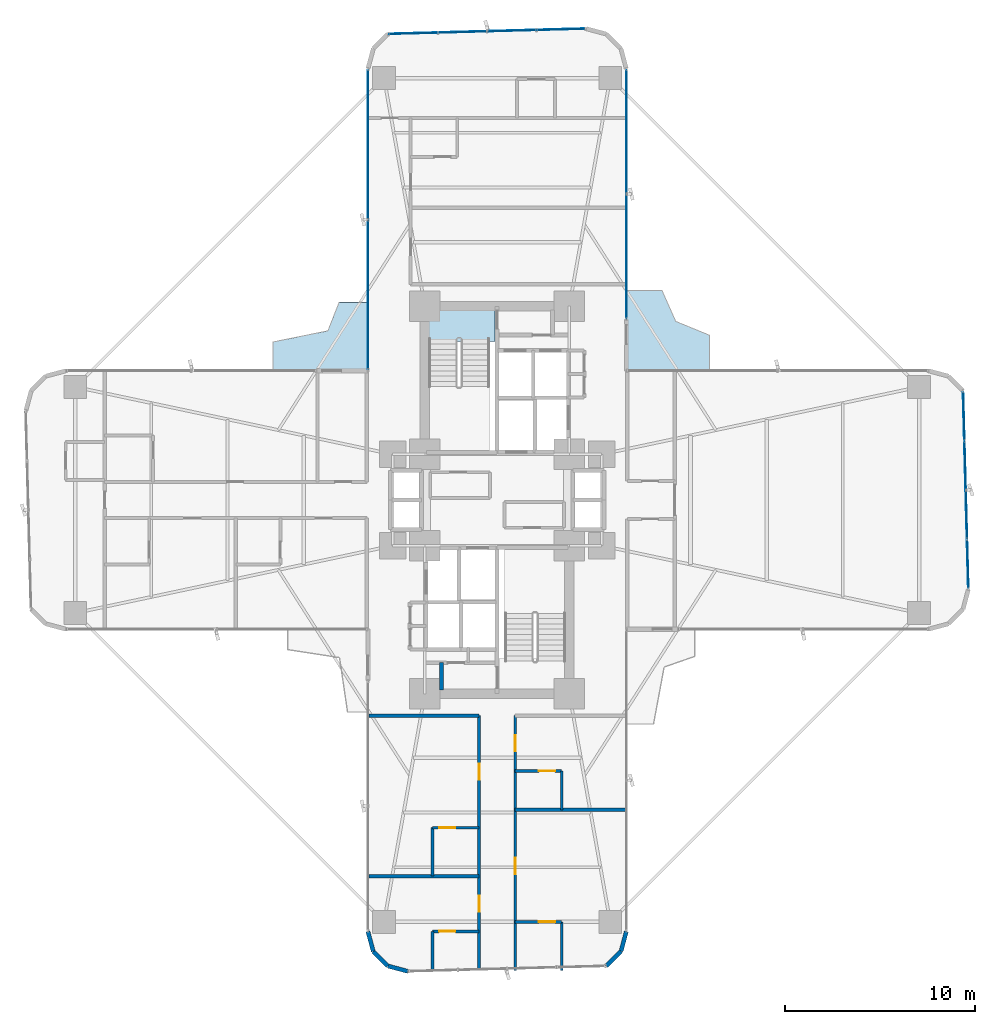
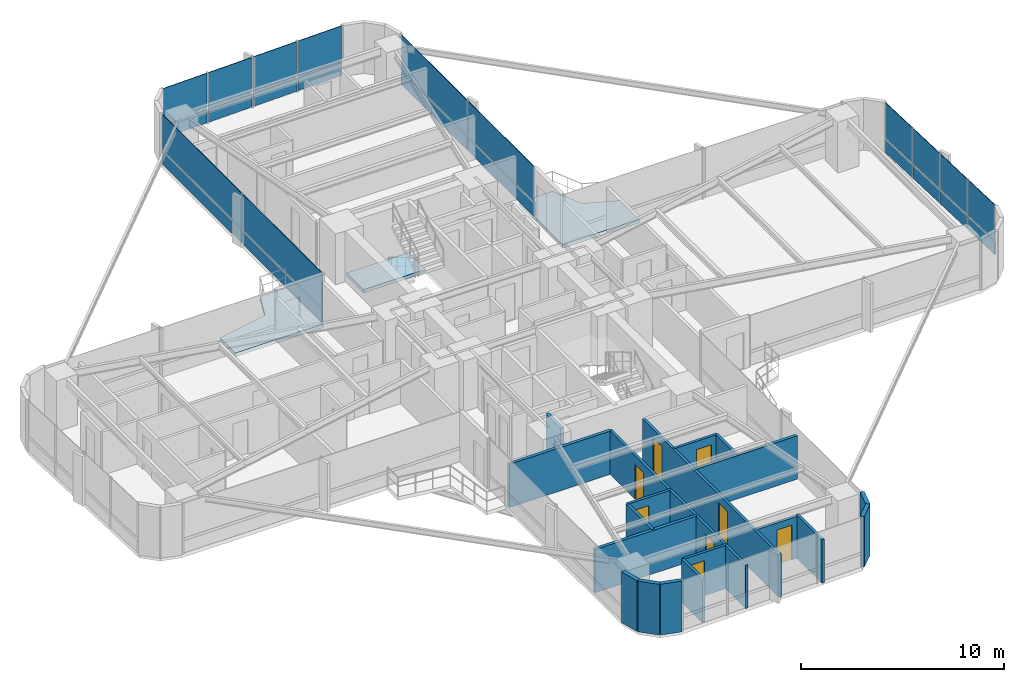
# One storey, part 21 of 26: 24 plates, 19 walls, 8 doors, 3 slabs, 8 openings, 4 elements without a shape of their own.
"""IFC4 building model written with IfcOpenShell, lengths in metres."""

import ifcopenshell
import ifcopenshell.guid

model = None  # the IFC model being written
_history = None  # IfcOwnerHistory: only IFC2X3 demands one
_inside = {}  # id of a spatial element -> (the spatial element, [elements in it])
_under = {}  # id of a project, library or spatial element -> (it, [spatial elements below it])
_declared = {}  # id of a project -> (the project, [libraries it declares])
_typed = {}  # id of a type object -> (the type object, [elements of that type])
_made_of = {}  # id of a material, layer set ... -> (it, [elements and type objects made of it])


def new_model(schema):
    """Start an empty IFC model of exactly this schema.

    Asked for "IFC4X3", IfcOpenShell would pick the latest addendum, in which some entities
    have other attributes; the version numbers below select the first issue.
    IFC2X3 requires an IfcOwnerHistory on every rooted entity: one is made here for all.
    """
    global model, _history
    if schema == "IFC4X3":
        model = ifcopenshell.file(schema_version=(4, 3, 0, 0))
    else:
        model = ifcopenshell.file(schema=schema)
    _inside.clear()
    _under.clear()
    _declared.clear()
    _typed.clear()
    _made_of.clear()
    _history = None
    if model.schema == "IFC2X3":
        org = make("IfcOrganization", Name="unknown")
        user = make(
            "IfcPersonAndOrganization",
            ThePerson=make("IfcPerson", FamilyName="unknown"),
            TheOrganization=org,
        )
        app = make(
            "IfcApplication",
            ApplicationDeveloper=org,
            Version="unknown",
            ApplicationFullName="unknown",
            ApplicationIdentifier="unknown",
        )
        _history = make(
            "IfcOwnerHistory",
            OwningUser=user,
            OwningApplication=app,
            ChangeAction="ADDED",
            CreationDate=0,
        )
    return model


def make(cls, **values):
    """One entity of the class cls with the attributes given. An attribute that is None is left unset."""
    return model.create_entity(
        cls, **{name: value for name, value in values.items() if value is not None}
    )


def rooted(cls, **values):
    """An entity with a GlobalId (a new one), such as an element, a storey or a relation."""
    return make(cls, GlobalId=ifcopenshell.guid.new(), OwnerHistory=_history, **values)


def si_unit(unit_type, name, prefix=None):
    """IfcSIUnit, for example si_unit("LENGTHUNIT", "METRE", prefix="MILLI")."""
    return make("IfcSIUnit", UnitType=unit_type, Prefix=prefix, Name=name)


def assignment(units):
    """IfcUnitAssignment: the units of a project."""
    return None if units is None else make("IfcUnitAssignment", Units=units)


def point(xyz):
    """IfcCartesianPoint."""
    return None if xyz is None else make("IfcCartesianPoint", Coordinates=xyz)


def direction(xyz):
    """IfcDirection."""
    return None if xyz is None else make("IfcDirection", DirectionRatios=xyz)


def frame(location, z_axis=None, x_axis=None):
    """IfcAxis2Placement3D, a coordinate frame: its origin and axes. An axis left out is left unset."""
    return make(
        "IfcAxis2Placement3D",
        Location=point(location),
        Axis=direction(z_axis),
        RefDirection=direction(x_axis),
    )


def frame_2d(location, x_axis=None):
    """IfcAxis2Placement2D, a coordinate frame in the plane: its origin and x axis."""
    return make(
        "IfcAxis2Placement2D", Location=point(location), RefDirection=direction(x_axis)
    )


def origin():
    """The frame at (0, 0, 0) with its axes left unset."""
    return frame((0.0, 0.0, 0.0))


def origin_2d():
    """The frame at (0, 0) in the plane with its x axis left unset."""
    return frame_2d((0.0, 0.0))


def place(relative_to, where):
    """IfcLocalPlacement: puts the frame where relative to a parent placement (None: the world)."""
    return make(
        "IfcLocalPlacement", PlacementRelTo=relative_to, RelativePlacement=where
    )


def context(
    kind, dimensions, precision=None, world=None, true_north=None, identifier=None
):
    """IfcGeometricRepresentationContext, for example the 3D "Model" context."""
    return make(
        "IfcGeometricRepresentationContext",
        ContextIdentifier=identifier,
        ContextType=kind,
        CoordinateSpaceDimension=dimensions,
        Precision=precision,
        WorldCoordinateSystem=world,
        TrueNorth=true_north,
    )


def subcontext(parent, identifier, kind, view, scale=None):
    """IfcGeometricRepresentationSubContext, for example "Body" below "Model"."""
    return make(
        "IfcGeometricRepresentationSubContext",
        ContextIdentifier=identifier,
        ContextType=kind,
        ParentContext=parent,
        TargetScale=scale,
        TargetView=view,
    )


def project(units=None, contexts=None):
    """IfcProject with its units and contexts."""
    return rooted(
        "IfcProject",
        Name="project",
        RepresentationContexts=contexts,
        UnitsInContext=assignment(units),
    )


def spatial(cls, under=None, at=None, **own):
    """A site, building, storey or space (cls), placed at a placement, below another one or the project."""
    s = rooted(cls, ObjectPlacement=at, **own)
    if under is not None:
        _under.setdefault(under.id(), (under, []))[1].append(s)
    return s


def polyline(points):
    """IfcPolyline through the points."""
    return make("IfcPolyline", Points=[point(p) for p in points])


def profile(cls, at=None, kind="AREA", **sizes):
    """A parametric profile (cls). Its sizes go by their IFC names, for example OverallWidth=200.0."""
    return make(cls, ProfileType=kind, Position=at, **sizes)


def rectangle(**sizes):
    """IfcRectangleProfileDef."""
    return profile("IfcRectangleProfileDef", **sizes)


def outline(outer, holes=None, kind="AREA"):
    """IfcArbitraryClosedProfileDef: a profile drawn as a closed curve; with holes, ...WithVoids."""
    if holes is None:
        return make("IfcArbitraryClosedProfileDef", ProfileType=kind, OuterCurve=outer)
    return make(
        "IfcArbitraryProfileDefWithVoids",
        ProfileType=kind,
        OuterCurve=outer,
        InnerCurves=holes,
    )


def extrude(swept, where, along, depth):
    """IfcExtrudedAreaSolid: the profile swept, set in the frame where, extruded along a direction by depth."""
    return make(
        "IfcExtrudedAreaSolid",
        SweptArea=swept,
        Position=where,
        ExtrudedDirection=direction(along),
        Depth=depth,
    )


def shape(context_of_items, identifier, shape_type, items):
    """IfcShapeRepresentation: the items that make up one representation, for example the "Body"."""
    return make(
        "IfcShapeRepresentation",
        ContextOfItems=context_of_items,
        RepresentationIdentifier=identifier,
        RepresentationType=shape_type,
        Items=items,
    )


def source(mapping_origin, context_of_items, identifier, shape_type, items):
    """IfcRepresentationMap: a shape defined once, which mapped items show again and again."""
    return make(
        "IfcRepresentationMap",
        MappingOrigin=mapping_origin,
        MappedRepresentation=shape(context_of_items, identifier, shape_type, items),
    )


def transform(
    local_origin,
    x_axis=None,
    y_axis=None,
    z_axis=None,
    scale=None,
    scale2=None,
    scale3=None,
    uniform=True,
):
    """IfcCartesianTransformationOperator3D, or its non-uniform kind. x_axis, y_axis, z_axis: its Axis1, 2, 3."""
    if uniform:
        return make(
            "IfcCartesianTransformationOperator3D",
            Axis1=direction(x_axis),
            Axis2=direction(y_axis),
            LocalOrigin=point(local_origin),
            Scale=scale,
            Axis3=direction(z_axis),
        )
    return make(
        "IfcCartesianTransformationOperator3DnonUniform",
        Axis1=direction(x_axis),
        Axis2=direction(y_axis),
        LocalOrigin=point(local_origin),
        Scale=scale,
        Axis3=direction(z_axis),
        Scale2=scale2,
        Scale3=scale3,
    )


def mapped(mapping_source, mapping_target):
    """IfcMappedItem: shows the shape of a source again, moved by a transform."""
    return make(
        "IfcMappedItem", MappingSource=mapping_source, MappingTarget=mapping_target
    )


def material(Name=None, Category=None):
    """IfcMaterial."""
    return make("IfcMaterial", Name=Name, Category=Category)


def layer(
    of_material, thickness, ventilated=None, Name=None, Category=None, Priority=None
):
    """IfcMaterialLayer: one layer of a wall or slab, of a material (None: an air gap)."""
    return make(
        "IfcMaterialLayer",
        Material=of_material,
        LayerThickness=thickness,
        IsVentilated=ventilated,
        Name=Name,
        Category=Category,
        Priority=Priority,
    )


def layer_set(layers, Name=None):
    """IfcMaterialLayerSet."""
    return make("IfcMaterialLayerSet", MaterialLayers=layers, LayerSetName=Name)


def made_of(thing, what):
    """Note that an element or type object is made of a material, layer set ...; save() writes the relation."""
    if what is not None:
        _made_of.setdefault(what.id(), (what, []))[1].append(thing)
    return thing


def type_object(cls, material=None, **own):
    """A type object (cls), such as IfcWallType, which elements share."""
    return made_of(rooted(cls, **own), material)


def element(
    cls,
    number,
    at=None,
    inside=None,
    cuts=None,
    type_object=None,
    material=None,
    context=None,
    identifier="Body",
    shape_type=None,
    held_by="IfcProductDefinitionShape",
    body=None,
    shapes=None,
    **own,
):
    """One element of the class cls, such as IfcWall. Its Tag is "e" and its number.

    at: its placement. inside: the storey or other place that contains it. cuts: it is an
    opening in that element (IfcRelVoidsElement). A single representation is given by context,
    identifier, shape_type and body (its items); several are given by shapes. held_by: the class
    of the entity that holds the representations. save() writes the other relations.
    """
    e = rooted(cls, Tag="e%d" % number, ObjectPlacement=at, **own)
    if body is not None:
        shapes = [shape(context, identifier, shape_type, body)]
    if shapes is not None:
        e.Representation = make(held_by, Representations=shapes)
    if inside is not None:
        _inside.setdefault(inside.id(), (inside, []))[1].append(e)
    if cuts is not None:
        rooted(
            "IfcRelVoidsElement", RelatingBuildingElement=cuts, RelatedOpeningElement=e
        )
    if type_object is not None:
        _typed.setdefault(type_object.id(), (type_object, []))[1].append(e)
    return made_of(e, material)


def fill(opening, filler):
    """IfcRelFillsElement: the door or window that sits in an opening."""
    return rooted(
        "IfcRelFillsElement",
        RelatingOpeningElement=opening,
        RelatedBuildingElement=filler,
    )


def aggregate(whole, parts):
    """IfcRelAggregates: a whole, such as a stair, and the parts it consists of."""
    return rooted("IfcRelAggregates", RelatingObject=whole, RelatedObjects=parts)


def save(model, path):
    """Write the relations noted so far, then the file.

    IfcRelAggregates (storeys below a building ...), IfcRelContainedInSpatialStructure (elements
    in a storey), IfcRelDefinesByType, IfcRelAssociatesMaterial and IfcRelDeclares: one each for
    every whole, place, type object, material and project.
    """
    for whole, parts in _under.values():
        aggregate(whole, parts)
    for where, things in _inside.values():
        rooted(
            "IfcRelContainedInSpatialStructure",
            RelatedElements=things,
            RelatingStructure=where,
        )
    for kind, things in _typed.values():
        rooted("IfcRelDefinesByType", RelatedObjects=things, RelatingType=kind)
    for what, things in _made_of.values():
        rooted("IfcRelAssociatesMaterial", RelatedObjects=things, RelatingMaterial=what)
    for by, libraries in _declared.values():
        rooted("IfcRelDeclares", RelatingContext=by, RelatedDefinitions=libraries)
    model.write(path)


model = new_model("IFC4")

# Units and contexts
model_context = context("Model", 3, precision=1e-05, world=origin(), true_north=direction((0.0, 1.0)))
body_context = subcontext(model_context, "Body", "Model", "MODEL_VIEW")
ifc_project = project(units=[si_unit("LENGTHUNIT", "METRE"), si_unit("AREAUNIT", "SQUARE_METRE"), si_unit("VOLUMEUNIT", "CUBIC_METRE"), si_unit("PLANEANGLEUNIT", "RADIAN"), si_unit("MASSUNIT", "GRAM", prefix="KILO")], contexts=[model_context])

# Site, building, storey
site_placement = place(None, origin())
site = spatial("IfcSite", under=ifc_project, at=site_placement, CompositionType="ELEMENT")
building_placement = place(site_placement, origin())
building = spatial("IfcBuilding", under=site, at=building_placement, Name="Sahyath Konkavel Grand Hotel", CompositionType="ELEMENT")
storey_placement = place(building_placement, frame((0.0, 0.0, 43.199951171875)))
storey = spatial("IfcBuildingStorey", under=building, at=storey_placement, Name="L11", CompositionType="ELEMENT", Elevation=43.199951171875)

# Slabs
ifc_material_1 = material(Name="Concrete C40/50", Category="concrete")
ifc_layer_1 = layer(ifc_material_1, 0.219970703125)
ifc_layer_set_1 = layer_set([ifc_layer_1], Name="Concrete C40/50")
slab_type_1 = type_object("IfcSlabType", Name="SLB-BALCONY-220", PredefinedType="FLOOR", material=ifc_layer_set_1)
slab_1_placement = place(storey_placement, frame((0.0, 0.0, -0.219970703125)))
element("IfcSlab", 1, at=slab_1_placement, inside=storey, type_object=slab_type_1, Name="L11 Winter-Garden Balcony NE", PredefinedType="FLOOR", context=body_context, shape_type="SweptSolid", body=[
    extrude(outline(polyline([(6.800048828125, 6.800048828125), (11.166015625, 6.800048828125), (11.166015625, 8.670654296875), (9.39794921875, 9.39794921875), (8.670654296875, 11.033935546875), (6.800048828125, 11.033935546875), (6.800048828125, 6.800048828125)])), origin(), (0.0, 0.0, 1.0), 0.219970703125),
])
slab_2_placement = place(storey_placement, frame((0.0, 0.0, -0.219970703125)))
element("IfcSlab", 2, at=slab_2_placement, inside=storey, type_object=slab_type_1, Name="L11 Winter-Garden Balcony NW", PredefinedType="FLOOR", context=body_context, shape_type="SweptSolid", body=[
    extrude(outline(polyline([(-6.800048828125, 6.800048828125), (-6.800048828125, 10.403076171875), (-8.3134765625, 10.403076171875), (-8.902099609375, 8.902099609375), (-11.797119140625, 8.3134765625), (-11.797119140625, 6.800048828125), (-6.800048828125, 6.800048828125)])), origin(), (0.0, 0.0, 1.0), 0.219970703125),
])
ifc_layer_2 = layer(ifc_material_1, 0.199951171875)
ifc_layer_set_2 = layer_set([ifc_layer_2], Name="Concrete C40/50")
slab_type_2 = type_object("IfcSlabType", Name="SLB-STAIR-LND", PredefinedType="LANDING", material=ifc_layer_set_2)
slab_3_placement = place(storey_placement, frame((0.0, 0.0, -0.199951171875)))
element("IfcSlab", 3, at=slab_3_placement, inside=storey, type_object=slab_type_2, Name="L11 Stair ST-1 Floor Landing Slab", PredefinedType="LANDING", context=body_context, shape_type="SweptSolid", body=[
    extrude(outline(polyline([(-3.6201171875, 8.35009765625), (-0.10009765625, 8.35009765625), (-0.10009765625, 10.02001953125), (-3.6201171875, 10.02001953125), (-3.6201171875, 8.35009765625)])), origin(), (0.0, 0.0, 1.0), 0.199951171875),
])

# Curtain wall, plates
ifc_material_2 = material(Name="Anodised Bronze Aluminium & Low-E Glazing", Category="aluminium")
curtain_wall_type = type_object("IfcCurtainWallType", Name="CW-ZONE1", PredefinedType="NOTDEFINED", material=ifc_material_2)
curtain_wall_1_placement = place(storey_placement, origin())
curtain_wall_1 = element("IfcCurtainWall", 4, at=curtain_wall_1_placement, inside=storey, type_object=curtain_wall_type, Name="L11 Unitised Curtain Wall F15", PredefinedType="NOTDEFINED")
ifc_material_3 = material(Name="Warm Buff Sandstone Cladding", Category="masonry")
ifc_layer_3 = layer(ifc_material_3, 0.074951171875)
ifc_layer_set_3 = layer_set([ifc_layer_3], Name="Warm Buff Sandstone Cladding")
plate_type_1 = type_object("IfcPlateType", Name="PNL-SPANDREL-STONE", PredefinedType="SHEET", material=ifc_layer_set_3)
shared_shape_1 = source(origin(), body_context, "Body", "SweptSolid", [
    extrude(rectangle(XDim=7.830078125, YDim=0.074951171875, at=origin_2d()), origin(), (0.0, 0.0, 1.0), 0.77001953125),
])
plate_1_placement = place(storey_placement, frame((-6.800048828125, 18.705078125, 0.0400390625), z_axis=(0.0, 0.0, 1.0), x_axis=(0.0, -1.0, 0.0)))
plate_1 = element("IfcPlate", 5, at=plate_1_placement, type_object=plate_type_1, Name="L11 Sandstone Relief Spandrel Panel F15-0", PredefinedType="SHEET", context=body_context, shape_type="MappedRepresentation", body=[
    mapped(shared_shape_1, transform((0.0, 0.0, 0.0), scale=1.0)),
])
plate_2_placement = place(storey_placement, frame((-6.800048828125, 10.794921875, 0.0400390625), z_axis=(0.0, 0.0, 1.0), x_axis=(0.0, -1.0, 0.0)))
plate_2 = element("IfcPlate", 6, at=plate_2_placement, type_object=plate_type_1, Name="L11 Sandstone Relief Spandrel Panel F15-1", PredefinedType="SHEET", context=body_context, shape_type="MappedRepresentation", body=[
    mapped(shared_shape_1, transform((0.0, 0.0, 0.0), scale=1.0)),
])

curtain_wall_2_placement = place(storey_placement, origin())
curtain_wall_2 = element("IfcCurtainWall", 7, at=curtain_wall_2_placement, inside=storey, type_object=curtain_wall_type, Name="L11 Unitised Curtain Wall F4", PredefinedType="NOTDEFINED")
shared_shape_2 = source(origin(), body_context, "Body", "SweptSolid", [
    extrude(rectangle(XDim=2.513427734375, YDim=0.074951171875, at=origin_2d()), origin(), (0.0, 0.0, 1.0), 0.77001953125),
])
plate_3_placement = place(storey_placement, frame((24.763916015625, -3.36376953125, 0.0400390625), z_axis=(0.0, 0.0, 1.0), x_axis=(-0.026909728301, 0.999637867691, 0.0)))
plate_3 = element("IfcPlate", 8, at=plate_3_placement, type_object=plate_type_1, Name="L11 Sandstone Relief Spandrel Panel F4-0", PredefinedType="SHEET", context=body_context, shape_type="MappedRepresentation", body=[
    mapped(shared_shape_2, transform((0.0, 0.0, 0.0), scale=1.0)),
])
plate_4_placement = place(storey_placement, frame((24.694091796875, -0.771240234375, 0.0400390625), z_axis=(0.0, 0.0, 1.0), x_axis=(-0.026909728301, 0.999637867691, 0.0)))
plate_4 = element("IfcPlate", 9, at=plate_4_placement, type_object=plate_type_1, Name="L11 Sandstone Relief Spandrel Panel F4-1", PredefinedType="SHEET", context=body_context, shape_type="MappedRepresentation", body=[
    mapped(shared_shape_2, transform((0.0, 0.0, 0.0), scale=1.0)),
])
plate_5_placement = place(storey_placement, frame((24.62451171875, 1.8212890625, 0.0400390625), z_axis=(0.0, 0.0, 1.0), x_axis=(-0.026909728301, 0.999637867691, 0.0)))
plate_5 = element("IfcPlate", 10, at=plate_5_placement, type_object=plate_type_1, Name="L11 Sandstone Relief Spandrel Panel F4-2", PredefinedType="SHEET", context=body_context, shape_type="MappedRepresentation", body=[
    mapped(shared_shape_2, transform((0.0, 0.0, 0.0), scale=1.0)),
])
plate_6_placement = place(storey_placement, frame((24.5546875, 4.413818359375, 0.0400390625), z_axis=(0.0, 0.0, 1.0), x_axis=(-0.026909728301, 0.999637867691, 0.0)))
plate_6 = element("IfcPlate", 11, at=plate_6_placement, type_object=plate_type_1, Name="L11 Sandstone Relief Spandrel Panel F4-3", PredefinedType="SHEET", context=body_context, shape_type="MappedRepresentation", body=[
    mapped(shared_shape_2, transform((0.0, 0.0, 0.0), scale=1.0)),
])

curtain_wall_3_placement = place(storey_placement, origin())
curtain_wall_3 = element("IfcCurtainWall", 12, at=curtain_wall_3_placement, inside=storey, type_object=curtain_wall_type, Name="L11 Unitised Curtain Wall F12", PredefinedType="NOTDEFINED")
plate_7_placement = place(storey_placement, frame((3.36376953125, 24.763916015625, 0.0400390625), z_axis=(0.0, 0.0, 1.0), x_axis=(-0.999637867691, -0.026909728301, 0.0)))
plate_7 = element("IfcPlate", 13, at=plate_7_placement, type_object=plate_type_1, Name="L11 Sandstone Relief Spandrel Panel F12-0", PredefinedType="SHEET", context=body_context, shape_type="MappedRepresentation", body=[
    mapped(shared_shape_2, transform((0.0, 0.0, 0.0), scale=1.0)),
])
plate_8_placement = place(storey_placement, frame((0.771240234375, 24.694091796875, 0.0400390625), z_axis=(0.0, 0.0, 1.0), x_axis=(-0.999637867691, -0.026909728301, 0.0)))
plate_8 = element("IfcPlate", 14, at=plate_8_placement, type_object=plate_type_1, Name="L11 Sandstone Relief Spandrel Panel F12-1", PredefinedType="SHEET", context=body_context, shape_type="MappedRepresentation", body=[
    mapped(shared_shape_2, transform((0.0, 0.0, 0.0), scale=1.0)),
])
plate_9_placement = place(storey_placement, frame((-1.8212890625, 24.62451171875, 0.0400390625), z_axis=(0.0, 0.0, 1.0), x_axis=(-0.999637867691, -0.026909728301, 0.0)))
plate_9 = element("IfcPlate", 15, at=plate_9_placement, type_object=plate_type_1, Name="L11 Sandstone Relief Spandrel Panel F12-2", PredefinedType="SHEET", context=body_context, shape_type="MappedRepresentation", body=[
    mapped(shared_shape_2, transform((0.0, 0.0, 0.0), scale=1.0)),
])
plate_10_placement = place(storey_placement, frame((-4.413818359375, 24.5546875, 0.0400390625), z_axis=(0.0, 0.0, 1.0), x_axis=(-0.999637867691, -0.026909728301, 0.0)))
plate_10 = element("IfcPlate", 16, at=plate_10_placement, type_object=plate_type_1, Name="L11 Sandstone Relief Spandrel Panel F12-3", PredefinedType="SHEET", context=body_context, shape_type="MappedRepresentation", body=[
    mapped(shared_shape_2, transform((0.0, 0.0, 0.0), scale=1.0)),
])

curtain_wall_4_placement = place(storey_placement, origin())
curtain_wall_4 = element("IfcCurtainWall", 17, at=curtain_wall_4_placement, inside=storey, type_object=curtain_wall_type, Name="L11 Unitised Curtain Wall F8", PredefinedType="NOTDEFINED")
shared_shape_3 = source(origin(), body_context, "Body", "SweptSolid", [
    extrude(rectangle(XDim=6.47998046875, YDim=0.074951171875, at=origin_2d()), origin(), (0.0, 0.0, 1.0), 0.77001953125),
])
plate_11_placement = place(storey_placement, frame((6.800048828125, 12.820068359375, 0.0400390625), z_axis=(0.0, 0.0, 1.0), x_axis=(0.0, 1.0, 0.0)))
plate_11 = element("IfcPlate", 18, at=plate_11_placement, type_object=plate_type_1, Name="L11 Sandstone Relief Spandrel Panel F8-0", PredefinedType="SHEET", context=body_context, shape_type="MappedRepresentation", body=[
    mapped(shared_shape_3, transform((0.0, 0.0, 0.0), scale=1.0)),
])
plate_12_placement = place(storey_placement, frame((6.800048828125, 19.3798828125, 0.0400390625), z_axis=(0.0, 0.0, 1.0), x_axis=(0.0, 1.0, 0.0)))
plate_12 = element("IfcPlate", 19, at=plate_12_placement, type_object=plate_type_1, Name="L11 Sandstone Relief Spandrel Panel F8-1", PredefinedType="SHEET", context=body_context, shape_type="MappedRepresentation", body=[
    mapped(shared_shape_3, transform((0.0, 0.0, 0.0), scale=1.0)),
])
ifc_material_4 = material(Name="Low-E Solar Control Double Glazing", Category="glass")
ifc_layer_4 = layer(ifc_material_4, 0.035888671875)
ifc_layer_set_4 = layer_set([ifc_layer_4], Name="Low-E Solar Control Double Glazing")
plate_type_2 = type_object("IfcPlateType", Name="PNL-VISION-LOWE", PredefinedType="CURTAIN_PANEL", material=ifc_layer_set_4)
shared_shape_4 = source(origin(), body_context, "Body", "SweptSolid", [
    extrude(rectangle(XDim=6.47998046875, YDim=0.035888671875, at=origin_2d()), origin(), (0.0, 0.0, 1.0), 2.1201171875),
])
plate_13_placement = place(storey_placement, frame((6.800048828125, 12.820068359375, 0.889892578125), z_axis=(0.0, 0.0, 1.0), x_axis=(0.0, 1.0, 0.0)))
plate_13 = element("IfcPlate", 20, at=plate_13_placement, type_object=plate_type_2, Name="L11 Low-E Vision Glazing Panel F8-0", PredefinedType="CURTAIN_PANEL", context=body_context, shape_type="MappedRepresentation", body=[
    mapped(shared_shape_4, transform((0.0, 0.0, 0.0), scale=1.0)),
])
plate_14_placement = place(storey_placement, frame((6.800048828125, 19.3798828125, 0.889892578125), z_axis=(0.0, 0.0, 1.0), x_axis=(0.0, 1.0, 0.0)))
plate_14 = element("IfcPlate", 21, at=plate_14_placement, type_object=plate_type_2, Name="L11 Low-E Vision Glazing Panel F8-1", PredefinedType="CURTAIN_PANEL", context=body_context, shape_type="MappedRepresentation", body=[
    mapped(shared_shape_4, transform((0.0, 0.0, 0.0), scale=1.0)),
])
aggregate(curtain_wall_4, [plate_11, plate_13, plate_12, plate_14])

# Plate
shared_shape_5 = source(origin(), body_context, "Body", "SweptSolid", [
    extrude(rectangle(XDim=2.513427734375, YDim=0.035888671875, at=origin_2d()), origin(), (0.0, 0.0, 1.0), 2.1201171875),
])
plate_15_placement = place(storey_placement, frame((24.763916015625, -3.36376953125, 0.889892578125), z_axis=(0.0, 0.0, 1.0), x_axis=(-0.026909728301, 0.999637867691, 0.0)))
plate_15 = element("IfcPlate", 22, at=plate_15_placement, type_object=plate_type_2, Name="L11 Low-E Vision Glazing Panel F4-0", PredefinedType="CURTAIN_PANEL", context=body_context, shape_type="MappedRepresentation", body=[
    mapped(shared_shape_5, transform((0.0, 0.0, 0.0), scale=1.0)),
])

plate_16_placement = place(storey_placement, frame((24.694091796875, -0.771240234375, 0.889892578125), z_axis=(0.0, 0.0, 1.0), x_axis=(-0.026909728301, 0.999637867691, 0.0)))
plate_16 = element("IfcPlate", 23, at=plate_16_placement, type_object=plate_type_2, Name="L11 Low-E Vision Glazing Panel F4-1", PredefinedType="CURTAIN_PANEL", context=body_context, shape_type="MappedRepresentation", body=[
    mapped(shared_shape_5, transform((0.0, 0.0, 0.0), scale=1.0)),
])

plate_17_placement = place(storey_placement, frame((24.62451171875, 1.8212890625, 0.889892578125), z_axis=(0.0, 0.0, 1.0), x_axis=(-0.026909728301, 0.999637867691, 0.0)))
plate_17 = element("IfcPlate", 24, at=plate_17_placement, type_object=plate_type_2, Name="L11 Low-E Vision Glazing Panel F4-2", PredefinedType="CURTAIN_PANEL", context=body_context, shape_type="MappedRepresentation", body=[
    mapped(shared_shape_5, transform((0.0, 0.0, 0.0), scale=1.0)),
])

plate_18_placement = place(storey_placement, frame((24.5546875, 4.413818359375, 0.889892578125), z_axis=(0.0, 0.0, 1.0), x_axis=(-0.026909728301, 0.999637867691, 0.0)))
plate_18 = element("IfcPlate", 25, at=plate_18_placement, type_object=plate_type_2, Name="L11 Low-E Vision Glazing Panel F4-3", PredefinedType="CURTAIN_PANEL", context=body_context, shape_type="MappedRepresentation", body=[
    mapped(shared_shape_5, transform((0.0, 0.0, 0.0), scale=1.0)),
])

aggregate(curtain_wall_2, [plate_3, plate_15, plate_4, plate_16, plate_5, plate_17, plate_6, plate_18])

plate_19_placement = place(storey_placement, frame((3.36376953125, 24.763916015625, 0.889892578125), z_axis=(0.0, 0.0, 1.0), x_axis=(-0.999637867691, -0.026909728301, 0.0)))
plate_19 = element("IfcPlate", 26, at=plate_19_placement, type_object=plate_type_2, Name="L11 Low-E Vision Glazing Panel F12-0", PredefinedType="CURTAIN_PANEL", context=body_context, shape_type="MappedRepresentation", body=[
    mapped(shared_shape_5, transform((0.0, 0.0, 0.0), scale=1.0)),
])

plate_20_placement = place(storey_placement, frame((0.771240234375, 24.694091796875, 0.889892578125), z_axis=(0.0, 0.0, 1.0), x_axis=(-0.999637867691, -0.026909728301, 0.0)))
plate_20 = element("IfcPlate", 27, at=plate_20_placement, type_object=plate_type_2, Name="L11 Low-E Vision Glazing Panel F12-1", PredefinedType="CURTAIN_PANEL", context=body_context, shape_type="MappedRepresentation", body=[
    mapped(shared_shape_5, transform((0.0, 0.0, 0.0), scale=1.0)),
])

plate_21_placement = place(storey_placement, frame((-1.8212890625, 24.62451171875, 0.889892578125), z_axis=(0.0, 0.0, 1.0), x_axis=(-0.999637867691, -0.026909728301, 0.0)))
plate_21 = element("IfcPlate", 28, at=plate_21_placement, type_object=plate_type_2, Name="L11 Low-E Vision Glazing Panel F12-2", PredefinedType="CURTAIN_PANEL", context=body_context, shape_type="MappedRepresentation", body=[
    mapped(shared_shape_5, transform((0.0, 0.0, 0.0), scale=1.0)),
])

plate_22_placement = place(storey_placement, frame((-4.413818359375, 24.5546875, 0.889892578125), z_axis=(0.0, 0.0, 1.0), x_axis=(-0.999637867691, -0.026909728301, 0.0)))
plate_22 = element("IfcPlate", 29, at=plate_22_placement, type_object=plate_type_2, Name="L11 Low-E Vision Glazing Panel F12-3", PredefinedType="CURTAIN_PANEL", context=body_context, shape_type="MappedRepresentation", body=[
    mapped(shared_shape_5, transform((0.0, 0.0, 0.0), scale=1.0)),
])

aggregate(curtain_wall_3, [plate_7, plate_19, plate_8, plate_20, plate_9, plate_21, plate_10, plate_22])

shared_shape_6 = source(origin(), body_context, "Body", "SweptSolid", [
    extrude(rectangle(XDim=7.830078125, YDim=0.035888671875, at=origin_2d()), origin(), (0.0, 0.0, 1.0), 2.1201171875),
])
plate_23_placement = place(storey_placement, frame((-6.800048828125, 18.705078125, 0.889892578125), z_axis=(0.0, 0.0, 1.0), x_axis=(0.0, -1.0, 0.0)))
plate_23 = element("IfcPlate", 30, at=plate_23_placement, type_object=plate_type_2, Name="L11 Low-E Vision Glazing Panel F15-0", PredefinedType="CURTAIN_PANEL", context=body_context, shape_type="MappedRepresentation", body=[
    mapped(shared_shape_6, transform((0.0, 0.0, 0.0), scale=1.0)),
])

plate_24_placement = place(storey_placement, frame((-6.800048828125, 10.794921875, 0.889892578125), z_axis=(0.0, 0.0, 1.0), x_axis=(0.0, -1.0, 0.0)))
plate_24 = element("IfcPlate", 31, at=plate_24_placement, type_object=plate_type_2, Name="L11 Low-E Vision Glazing Panel F15-1", PredefinedType="CURTAIN_PANEL", context=body_context, shape_type="MappedRepresentation", body=[
    mapped(shared_shape_6, transform((0.0, 0.0, 0.0), scale=1.0)),
])

aggregate(curtain_wall_1, [plate_1, plate_23, plate_2, plate_24])

# Walls
ifc_material_5 = material(Name="Warm Buff Sandstone Insulated Concrete C40/50", Category="masonry")
ifc_layer_5 = layer(ifc_material_5, 0.219970703125)
ifc_layer_set_5 = layer_set([ifc_layer_5], Name="Warm Buff Sandstone Insulated Concrete C40/50")
wall_type_1 = type_object("IfcWallType", Name="WLL-BALC-THRESH", PredefinedType="STANDARD", material=ifc_layer_set_5)
for number, where, z_axis, x_axis, name in (
    (32, (-6.800048828125, -22.699951171875, 0.0), (0.0, 0.0, 1.0), (0.25872485917, -0.965951058412, 0.0), "L11 Rounded Corner Sandstone Pier 25"),
    (33, (-6.518798828125, -23.75, 0.0), (0.0, 0.0, 1.0), (0.707106781187, -0.707106781187, 0.0), "L11 Rounded Corner Sandstone Pier 26"),
    (34, (-5.75, -24.518798828125, 0.0), (0.0, 0.0, 1.0), (0.965951058412, -0.25872485917, 0.0), "L11 Rounded Corner Sandstone Pier 27"),
    (35, (5.75, -24.518798828125, 0.0), (0.0, 0.0, 1.0), (0.707106781187, 0.707106781187, 0.0), "L11 Rounded Corner Sandstone Pier 29"),
    (36, (6.518798828125, -23.75, 0.0), (0.0, 0.0, 1.0), (0.25872485917, 0.965951058412, 0.0), "L11 Rounded Corner Sandstone Pier 30"),
):
    element("IfcWall", number, at=place(storey_placement, frame(where, z_axis=z_axis, x_axis=x_axis)), inside=storey, type_object=wall_type_1, Name=name, PredefinedType="STANDARD", context=body_context, shape_type="SweptSolid", body=[
        extrude(rectangle(XDim=1.087158203125, YDim=0.219970703125, at=frame_2d((0.54345703125, 0.0))), origin(), (0.0, 0.0, 1.0), 3.050048828125),
    ])
ifc_layer_6 = layer(ifc_material_1, 0.199951171875)
ifc_layer_set_6 = layer_set([ifc_layer_6], Name="Concrete C40/50")
wall_type_2 = type_object("IfcWallType", Name="WLL-CORE-200", PredefinedType="SOLIDWALL", material=ifc_layer_set_6)
wall_1_placement = place(storey_placement, frame((-2.919921875, -10.0, 0.0), z_axis=(0.0, 0.0, 1.0), x_axis=(0.0, 1.0, 0.0)))
element("IfcWall", 37, at=wall_1_placement, inside=storey, type_object=wall_type_2, Name="L11 Partition SFF-W2", PredefinedType="SOLIDWALL", context=body_context, shape_type="SweptSolid", body=[
    extrude(rectangle(XDim=1.43994140625, YDim=0.199951171875, at=frame_2d((0.719970703125, 0.0))), origin(), (0.0, 0.0, 1.0), 2.60009765625),
])
ifc_material_6 = material(Name="Twin-Stud Acoustic Gypsum Plasterboard Partition")
ifc_layer_7 = layer(ifc_material_6, 0.179931640625)
ifc_layer_set_7 = layer_set([ifc_layer_7], Name="Twin-Stud Acoustic Gypsum Plasterboard Partition")
wall_type_3 = type_object("IfcWallType", Name="WLL-DEMISE-180", PredefinedType="PARTITIONING", material=ifc_layer_set_7)
for number, where, z_axis, x_axis, name in (
    (38, (-6.75, -11.35009765625, 0.0), (0.0, 0.0, 1.0), (1.0, 0.0, 0.0), "L11 Partition S-INR"),
    (39, (0.949951171875, -16.30810546875, 0.0), (0.0, 0.0, 1.0), (1.0, 0.0, 0.0), "L11 Partition S-S1L-DEM"),
    (40, (-0.949951171875, -19.7919921875, 0.0), (0.0, 0.0, 1.0), (-1.0, 0.0, 0.0), "L11 Partition S-S1R-DEM"),
):
    element("IfcWall", number, at=place(storey_placement, frame(where, z_axis=z_axis, x_axis=x_axis)), inside=storey, type_object=wall_type_3, Name=name, PredefinedType="PARTITIONING", context=body_context, shape_type="SweptSolid", body=[
        extrude(rectangle(XDim=5.800048828125, YDim=0.179931640625, at=frame_2d((2.89990234375, 0.0))), origin(), (0.0, 0.0, 1.0), 2.60009765625),
    ])

# Wall, openings, doors
ifc_material_7 = material(Name="Fire-Rated Gypsum Plasterboard Partition")
ifc_layer_8 = layer(ifc_material_7, 0.14990234375)
ifc_layer_set_8 = layer_set([ifc_layer_8], Name="Fire-Rated Gypsum Plasterboard Partition")
wall_type_4 = type_object("IfcWallType", Name="WLL-PART-150", PredefinedType="PARTITIONING", material=ifc_layer_set_8)
wall_2_placement = place(storey_placement, frame((0.949951171875, -11.35009765625, 0.0), z_axis=(0.0, 0.0, 1.0), x_axis=(0.0, -1.0, 0.0)))
wall_2 = element("IfcWall", 41, at=wall_2_placement, inside=storey, type_object=wall_type_4, Name="L11 Partition S-CL", PredefinedType="PARTITIONING", context=body_context, shape_type="SweptSolid", body=[
    extrude(rectangle(XDim=13.39990234375, YDim=0.14990234375, at=frame_2d((6.699951171875, 0.0))), origin(), (0.0, 0.0, 1.0), 2.60009765625),
])
opening_1_placement = place(wall_2_placement, frame((1.029052734375, 0.0, 0.0)))
opening_1 = element("IfcOpeningElement", 42, at=opening_1_placement, cuts=wall_2, Name="Opening D-F06D", PredefinedType="OPENING", context=body_context, shape_type="SweptSolid", body=[
    extrude(rectangle(XDim=0.85009765625, YDim=2.10009765625, at=frame_2d((0.425048828125, 1.050048828125))), frame((0.0, 0.0849609375, 0.0), z_axis=(0.0, -1.0, 0.0), x_axis=(1.0, 0.0, 0.0)), (0.0, 0.0, 1.0), 0.169921875),
])
opening_2_placement = place(wall_2_placement, frame((7.47900390625, 0.0, 0.0)))
opening_2 = element("IfcOpeningElement", 43, at=opening_2_placement, cuts=wall_2, Name="Opening D-F06D", PredefinedType="OPENING", context=body_context, shape_type="SweptSolid", body=[
    extrude(rectangle(XDim=0.85009765625, YDim=2.10009765625, at=frame_2d((0.425048828125, 1.050048828125))), frame((0.0, 0.0849609375, 0.0), z_axis=(0.0, -1.0, 0.0), x_axis=(1.0, 0.0, 0.0)), (0.0, 0.0, 1.0), 0.169921875),
])
ifc_material_8 = material(Name="Fire-Rated Shaft Access Door")
door_type_1 = type_object("IfcDoorType", Name="DR-FD60-850", OperationType="NOTDEFINED", PredefinedType="DOOR", material=ifc_material_8)
shared_shape_7 = source(origin(), body_context, "Body", "SweptSolid", [
    extrude(rectangle(XDim=0.85009765625, YDim=0.050048828125, at=origin_2d()), origin(), (0.0, 0.0, 1.0), 2.10009765625),
])
door_1_placement = place(opening_1_placement, frame((0.425048828125, 0.0, 0.0)))
door_1 = element("IfcDoor", 44, at=door_1_placement, inside=storey, type_object=door_type_1, Name="L11 Door S-S1L-ED", OperationType="SINGLE_SWING_LEFT", OverallHeight=2.10009765625, OverallWidth=0.85009765625, PredefinedType="DOOR", context=body_context, shape_type="MappedRepresentation", body=[
    mapped(shared_shape_7, transform((0.0, 0.0, 0.0), scale=1.0)),
])
fill(opening_1, door_1)
door_2_placement = place(opening_2_placement, frame((0.425048828125, 0.0, 0.0)))
door_2 = element("IfcDoor", 45, at=door_2_placement, inside=storey, type_object=door_type_1, Name="L11 Door S-S2L-ED", OperationType="SINGLE_SWING_LEFT", OverallHeight=2.10009765625, OverallWidth=0.85009765625, PredefinedType="DOOR", context=body_context, shape_type="MappedRepresentation", body=[
    mapped(shared_shape_7, transform((0.0, 0.0, 0.0), scale=1.0)),
])
fill(opening_2, door_2)

wall_3_placement = place(storey_placement, frame((-0.949951171875, -11.35009765625, 0.0), z_axis=(0.0, 0.0, 1.0), x_axis=(0.0, -1.0, 0.0)))
wall_3 = element("IfcWall", 46, at=wall_3_placement, inside=storey, type_object=wall_type_4, Name="L11 Partition S-CR", PredefinedType="PARTITIONING", context=body_context, shape_type="SweptSolid", body=[
    extrude(rectangle(XDim=13.39990234375, YDim=0.14990234375, at=frame_2d((6.699951171875, 0.0))), origin(), (0.0, 0.0, 1.0), 2.60009765625),
])
opening_3_placement = place(wall_3_placement, frame((2.52099609375, 0.0, 0.0)))
opening_3 = element("IfcOpeningElement", 47, at=opening_3_placement, cuts=wall_3, Name="Opening D-F06D", PredefinedType="OPENING", context=body_context, shape_type="SweptSolid", body=[
    extrude(rectangle(XDim=0.85009765625, YDim=2.10009765625, at=frame_2d((0.425048828125, 1.050048828125))), frame((0.0, 0.0849609375, 0.0), z_axis=(0.0, -1.0, 0.0), x_axis=(1.0, 0.0, 0.0)), (0.0, 0.0, 1.0), 0.169921875),
])
opening_4_placement = place(wall_3_placement, frame((9.470947265625, 0.0, 0.0)))
opening_4 = element("IfcOpeningElement", 48, at=opening_4_placement, cuts=wall_3, Name="Opening D-F06D", PredefinedType="OPENING", context=body_context, shape_type="SweptSolid", body=[
    extrude(rectangle(XDim=0.85009765625, YDim=2.10009765625, at=frame_2d((0.425048828125, 1.050048828125))), frame((0.0, 0.0849609375, 0.0), z_axis=(0.0, -1.0, 0.0), x_axis=(1.0, 0.0, 0.0)), (0.0, 0.0, 1.0), 0.169921875),
])
door_3_placement = place(opening_3_placement, frame((0.425048828125, 0.0, 0.0)))
door_3 = element("IfcDoor", 49, at=door_3_placement, inside=storey, type_object=door_type_1, Name="L11 Door S-S1R-ED", OperationType="SINGLE_SWING_LEFT", OverallHeight=2.10009765625, OverallWidth=0.85009765625, PredefinedType="DOOR", context=body_context, shape_type="MappedRepresentation", body=[
    mapped(shared_shape_7, transform((0.0, 0.0, 0.0), scale=1.0)),
])
fill(opening_3, door_3)
door_4_placement = place(opening_4_placement, frame((0.425048828125, 0.0, 0.0)))
door_4 = element("IfcDoor", 50, at=door_4_placement, inside=storey, type_object=door_type_1, Name="L11 Door S-S2R-ED", OperationType="SINGLE_SWING_LEFT", OverallHeight=2.10009765625, OverallWidth=0.85009765625, PredefinedType="DOOR", context=body_context, shape_type="MappedRepresentation", body=[
    mapped(shared_shape_7, transform((0.0, 0.0, 0.0), scale=1.0)),
])
fill(opening_4, door_4)

# Wall, opening, door
wall_4_placement = place(storey_placement, frame((0.949951171875, -14.258056640625, 0.0), z_axis=(0.0, 0.0, 1.0), x_axis=(1.0, 0.0, 0.0)))
wall_4 = element("IfcWall", 51, at=wall_4_placement, inside=storey, type_object=wall_type_4, Name="L11 Partition S-S1L-BS", PredefinedType="PARTITIONING", context=body_context, shape_type="SweptSolid", body=[
    extrude(rectangle(XDim=2.449951171875, YDim=0.14990234375, at=frame_2d((1.22509765625, 0.0))), origin(), (0.0, 0.0, 1.0), 2.60009765625),
])
opening_5_placement = place(wall_4_placement, frame((1.25, 0.0, 0.0)))
opening_5 = element("IfcOpeningElement", 52, at=opening_5_placement, cuts=wall_4, Name="Opening D-BT85", PredefinedType="OPENING", context=body_context, shape_type="SweptSolid", body=[
    extrude(rectangle(XDim=0.85009765625, YDim=2.10009765625, at=frame_2d((0.425048828125, 1.050048828125))), frame((0.0, 0.0849609375, 0.0), z_axis=(0.0, -1.0, 0.0), x_axis=(1.0, 0.0, 0.0)), (0.0, 0.0, 1.0), 0.169921875),
])
ifc_material_9 = material(Name="Moisture-Resistant Teak Bathroom Door")
door_type_2 = type_object("IfcDoorType", Name="DR-BATH-850", OperationType="NOTDEFINED", PredefinedType="DOOR", material=ifc_material_9)
door_5_placement = place(opening_5_placement, frame((0.425048828125, 0.0, 0.0)))
door_5 = element("IfcDoor", 53, at=door_5_placement, inside=storey, type_object=door_type_2, Name="L11 Door S-S1L-BD", OperationType="SINGLE_SWING_RIGHT", OverallHeight=2.10009765625, OverallWidth=0.85009765625, PredefinedType="DOOR", context=body_context, shape_type="MappedRepresentation", body=[
    mapped(shared_shape_7, transform((0.0, 0.0, 0.0), scale=1.0)),
])
fill(opening_5, door_5)

# Wall
wall_5_placement = place(storey_placement, frame((3.39990234375, -14.258056640625, 0.0), z_axis=(0.0, 0.0, 1.0), x_axis=(0.0, -1.0, 0.0)))
element("IfcWall", 54, at=wall_5_placement, inside=storey, type_object=wall_type_4, Name="L11 Partition S-S1L-BF", PredefinedType="PARTITIONING", context=body_context, shape_type="SweptSolid", body=[
    extrude(rectangle(XDim=2.050048828125, YDim=0.14990234375, at=frame_2d((1.02490234375, 0.0))), origin(), (0.0, 0.0, 1.0), 2.60009765625),
])

# Wall, opening, door
wall_6_placement = place(storey_placement, frame((0.949951171875, -22.199951171875, 0.0), z_axis=(0.0, 0.0, 1.0), x_axis=(1.0, 0.0, 0.0)))
wall_6 = element("IfcWall", 55, at=wall_6_placement, inside=storey, type_object=wall_type_4, Name="L11 Partition S-S2L-BS", PredefinedType="PARTITIONING", context=body_context, shape_type="SweptSolid", body=[
    extrude(rectangle(XDim=2.449951171875, YDim=0.14990234375, at=frame_2d((1.22509765625, 0.0))), origin(), (0.0, 0.0, 1.0), 2.52001953125),
])
opening_6_placement = place(wall_6_placement, frame((1.25, 0.0, 0.0)))
opening_6 = element("IfcOpeningElement", 56, at=opening_6_placement, cuts=wall_6, Name="Opening D-BT85", PredefinedType="OPENING", context=body_context, shape_type="SweptSolid", body=[
    extrude(rectangle(XDim=0.85009765625, YDim=2.10009765625, at=frame_2d((0.425048828125, 1.050048828125))), frame((0.0, 0.0849609375, 0.0), z_axis=(0.0, -1.0, 0.0), x_axis=(1.0, 0.0, 0.0)), (0.0, 0.0, 1.0), 0.169921875),
])
door_6_placement = place(opening_6_placement, frame((0.425048828125, 0.0, 0.0)))
door_6 = element("IfcDoor", 57, at=door_6_placement, inside=storey, type_object=door_type_2, Name="L11 Door S-S2L-BD", OperationType="SINGLE_SWING_RIGHT", OverallHeight=2.10009765625, OverallWidth=0.85009765625, PredefinedType="DOOR", context=body_context, shape_type="MappedRepresentation", body=[
    mapped(shared_shape_7, transform((0.0, 0.0, 0.0), scale=1.0)),
])
fill(opening_6, door_6)

# Wall
wall_7_placement = place(storey_placement, frame((3.39990234375, -22.199951171875, 0.0), z_axis=(0.0, 0.0, 1.0), x_axis=(0.0, -1.0, 0.0)))
element("IfcWall", 58, at=wall_7_placement, inside=storey, type_object=wall_type_4, Name="L11 Partition S-S2L-BF", PredefinedType="PARTITIONING", context=body_context, shape_type="SweptSolid", body=[
    extrude(rectangle(XDim=2.550048828125, YDim=0.14990234375, at=frame_2d((1.27490234375, 0.0))), origin(), (0.0, 0.0, 1.0), 2.60009765625),
])

# Wall, opening, door
wall_8_placement = place(storey_placement, frame((-0.949951171875, -17.241943359375, 0.0), z_axis=(0.0, 0.0, 1.0), x_axis=(-1.0, 0.0, 0.0)))
wall_8 = element("IfcWall", 59, at=wall_8_placement, inside=storey, type_object=wall_type_4, Name="L11 Partition S-S1R-BS", PredefinedType="PARTITIONING", context=body_context, shape_type="SweptSolid", body=[
    extrude(rectangle(XDim=2.449951171875, YDim=0.14990234375, at=frame_2d((1.22509765625, 0.0))), origin(), (0.0, 0.0, 1.0), 2.60009765625),
])
opening_7_placement = place(wall_8_placement, frame((1.25, 0.0, 0.0)))
opening_7 = element("IfcOpeningElement", 60, at=opening_7_placement, cuts=wall_8, Name="Opening D-BT85", PredefinedType="OPENING", context=body_context, shape_type="SweptSolid", body=[
    extrude(rectangle(XDim=0.85009765625, YDim=2.10009765625, at=frame_2d((0.425048828125, 1.050048828125))), frame((0.0, 0.0849609375, 0.0), z_axis=(0.0, -1.0, 0.0), x_axis=(1.0, 0.0, 0.0)), (0.0, 0.0, 1.0), 0.169921875),
])
door_7_placement = place(opening_7_placement, frame((0.425048828125, 0.0, 0.0)))
door_7 = element("IfcDoor", 61, at=door_7_placement, inside=storey, type_object=door_type_2, Name="L11 Door S-S1R-BD", OperationType="SINGLE_SWING_RIGHT", OverallHeight=2.10009765625, OverallWidth=0.85009765625, PredefinedType="DOOR", context=body_context, shape_type="MappedRepresentation", body=[
    mapped(shared_shape_7, transform((0.0, 0.0, 0.0), scale=1.0)),
])
fill(opening_7, door_7)

# Wall
wall_9_placement = place(storey_placement, frame((-3.39990234375, -17.241943359375, 0.0), z_axis=(0.0, 0.0, 1.0), x_axis=(0.0, -1.0, 0.0)))
element("IfcWall", 62, at=wall_9_placement, inside=storey, type_object=wall_type_4, Name="L11 Partition S-S1R-BF", PredefinedType="PARTITIONING", context=body_context, shape_type="SweptSolid", body=[
    extrude(rectangle(XDim=2.550048828125, YDim=0.14990234375, at=frame_2d((1.27490234375, 0.0))), origin(), (0.0, 0.0, 1.0), 2.60009765625),
])

# Wall, opening, door
wall_10_placement = place(storey_placement, frame((-0.949951171875, -22.699951171875, 0.0), z_axis=(0.0, 0.0, 1.0), x_axis=(-1.0, 0.0, 0.0)))
wall_10 = element("IfcWall", 63, at=wall_10_placement, inside=storey, type_object=wall_type_4, Name="L11 Partition S-S2R-BS", PredefinedType="PARTITIONING", context=body_context, shape_type="SweptSolid", body=[
    extrude(rectangle(XDim=2.449951171875, YDim=0.14990234375, at=frame_2d((1.22509765625, 0.0))), origin(), (0.0, 0.0, 1.0), 2.60009765625),
])
opening_8_placement = place(wall_10_placement, frame((1.25, 0.0, 0.0)))
opening_8 = element("IfcOpeningElement", 64, at=opening_8_placement, cuts=wall_10, Name="Opening D-BT85", PredefinedType="OPENING", context=body_context, shape_type="SweptSolid", body=[
    extrude(rectangle(XDim=0.85009765625, YDim=2.10009765625, at=frame_2d((0.425048828125, 1.050048828125))), frame((0.0, 0.0849609375, 0.0), z_axis=(0.0, -1.0, 0.0), x_axis=(1.0, 0.0, 0.0)), (0.0, 0.0, 1.0), 0.169921875),
])
door_8_placement = place(opening_8_placement, frame((0.425048828125, 0.0, 0.0)))
door_8 = element("IfcDoor", 65, at=door_8_placement, inside=storey, type_object=door_type_2, Name="L11 Door S-S2R-BD", OperationType="SINGLE_SWING_RIGHT", OverallHeight=2.10009765625, OverallWidth=0.85009765625, PredefinedType="DOOR", context=body_context, shape_type="MappedRepresentation", body=[
    mapped(shared_shape_7, transform((0.0, 0.0, 0.0), scale=1.0)),
])
fill(opening_8, door_8)

# Wall
wall_11_placement = place(storey_placement, frame((-3.39990234375, -22.699951171875, 0.0), z_axis=(0.0, 0.0, 1.0), x_axis=(0.0, -1.0, 0.0)))
element("IfcWall", 66, at=wall_11_placement, inside=storey, type_object=wall_type_4, Name="L11 Partition S-S2R-BF", PredefinedType="PARTITIONING", context=body_context, shape_type="SweptSolid", body=[
    extrude(rectangle(XDim=2.050048828125, YDim=0.14990234375, at=frame_2d((1.02490234375, 0.0))), origin(), (0.0, 0.0, 1.0), 2.60009765625),
])

save(model, "model.ifc")
